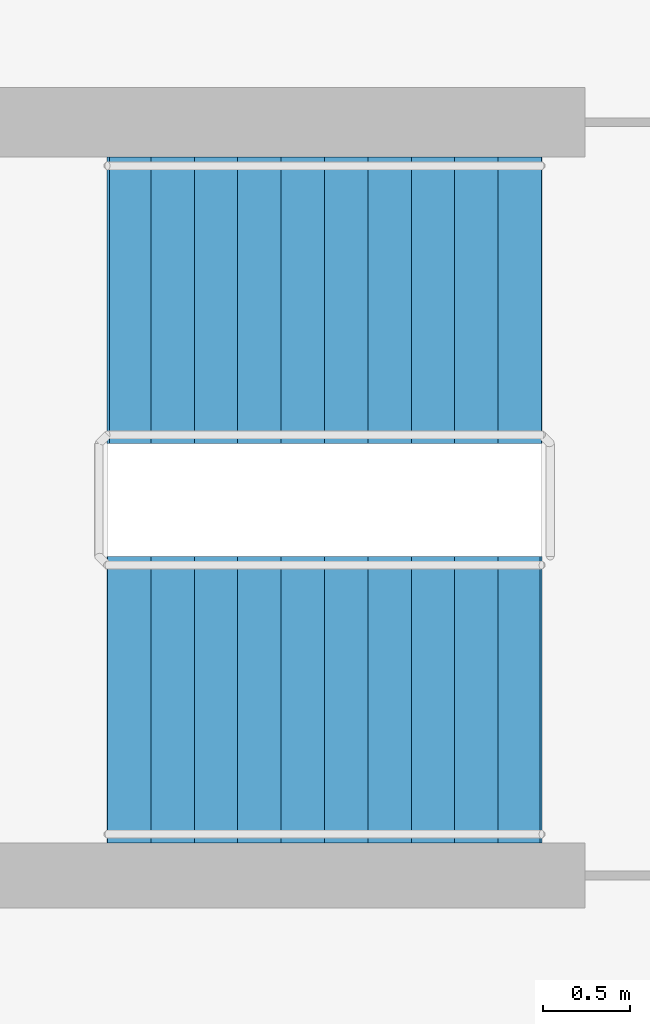
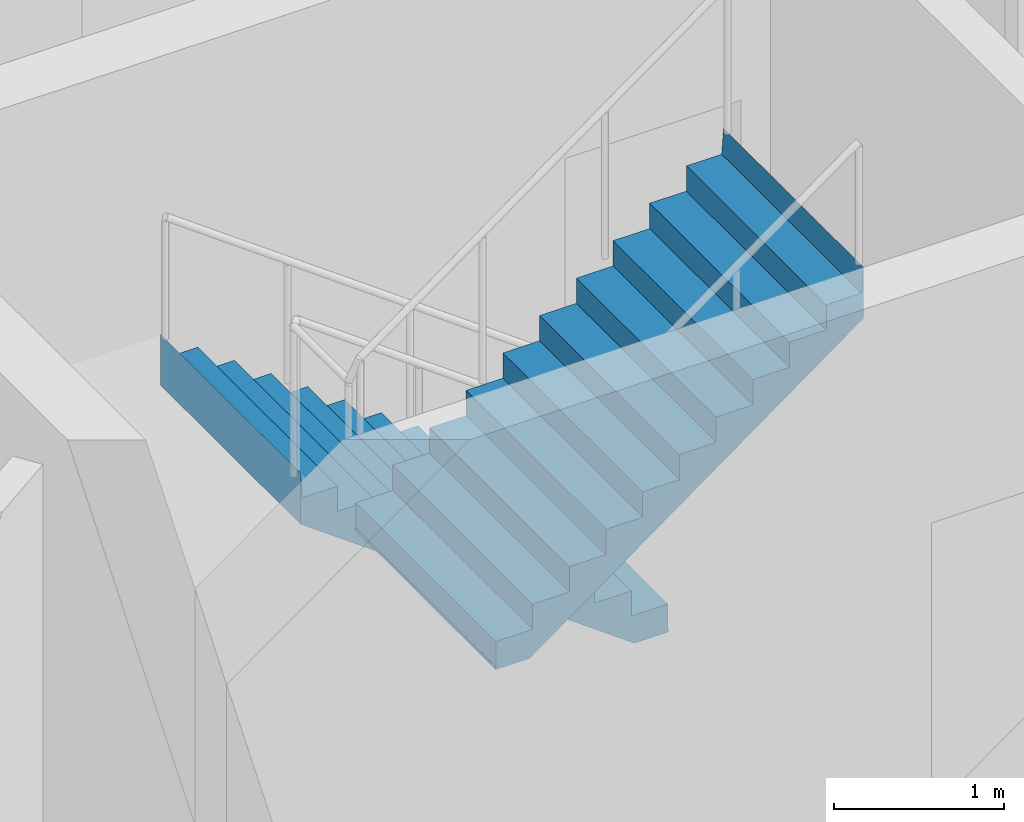
# One storey, part 11 of 12: 2 stair flights, 1 element without a shape of its own.
"""IFC4 building model written with IfcOpenShell, lengths in metres."""

from ifc_helpers import new_model, si_unit, direction, frame, origin, place, context, subcontext, project, spatial, triangles, material, type_object, element, aggregate, save


model = new_model("IFC4")

# Units and contexts
model_context = context("Model", 3, precision=1e-05, world=origin(), true_north=direction((0.0, 1.0)))
body_context = subcontext(model_context, "Body", "Model", "MODEL_VIEW")
ifc_project = project(units=[si_unit("LENGTHUNIT", "METRE"), si_unit("AREAUNIT", "SQUARE_METRE"), si_unit("VOLUMEUNIT", "CUBIC_METRE"), si_unit("PLANEANGLEUNIT", "RADIAN"), si_unit("MASSUNIT", "GRAM", prefix="KILO")], contexts=[model_context])

# Site, building, storey
site_placement = place(None, origin())
site = spatial("IfcSite", under=ifc_project, at=site_placement, CompositionType="ELEMENT")
building_placement = place(site_placement, origin())
building = spatial("IfcBuilding", under=site, at=building_placement, Name="Maasbend Ring Residences", CompositionType="ELEMENT")
storey_placement = place(building_placement, frame((0.0, 0.0, 261.5)))
storey = spatial("IfcBuildingStorey", under=building, at=storey_placement, Name="L75", CompositionType="ELEMENT", Elevation=261.5)

# Stair, stair flights
ifc_material_1 = material(Name="Concrete C40/50", Category="concrete")
stair_type = type_object("IfcStairType", Name="CORE STAIR 22 RISERS", PredefinedType="HALF_TURN_STAIR", material=ifc_material_1)
stair_placement = place(storey_placement, origin())
stair = element("IfcStair", 1, at=stair_placement, inside=storey, type_object=stair_type, Name="L75 Exit stair ST-E1", PredefinedType="HALF_TURN_STAIR")
ifc_material_2 = material(Name="Concrete C40/50", Category="concrete")
stair_flight_type = type_object("IfcStairFlightType", Name="CORE STAIR FLIGHT 1650", PredefinedType="STRAIGHT", material=ifc_material_2)
stair_flight_1_placement = place(storey_placement, frame((13.550048828125, 7.77490234375, 0.0), z_axis=(0.0, 0.0, 1.0), x_axis=(-1.0, 0.0, 0.0)))
stair_flight_1 = element("IfcStairFlight", 2, at=stair_flight_1_placement, type_object=stair_flight_type, Name="ST-E1 flight 1", NumberOfRisers=11, NumberOfTreads=10, PredefinedType="STRAIGHT", RiserHeight=0.181818182, TreadLength=0.25, context=body_context, shape_type="Tessellation", body=[
    triangles([(0.23046875, 0.824951171875, -0.02001953125), (2.5029296875, 0.824951171875, 1.6328125), (2.5029296875, 0.824951171875, 2.0), (2.489990234375, 0.824951171875, 1.818115234375), (2.25, 0.824951171875, 1.818115234375), (2.25, 0.824951171875, 1.636474609375), (2.0, 0.824951171875, 1.636474609375), (2.0, 0.824951171875, 1.45458984375), (1.75, 0.824951171875, 1.45458984375), (1.75, 0.824951171875, 1.272705078125), (1.5, 0.824951171875, 1.272705078125), (1.5, 0.824951171875, 1.0908203125), (1.25, 0.824951171875, 1.0908203125), (1.25, 0.824951171875, 0.9091796875), (1.0, 0.824951171875, 0.9091796875), (1.0, 0.824951171875, 0.727294921875), (0.75, 0.824951171875, 0.727294921875), (0.75, 0.824951171875, 0.54541015625), (0.5, 0.824951171875, 0.54541015625), (0.5, 0.824951171875, 0.363525390625), (0.25, 0.824951171875, 0.363525390625), (0.25, 0.824951171875, 0.181884765625), (0.0, 0.824951171875, 0.181884765625), (0.0, 0.824951171875, 0.0), (-0.0029296875, 0.824951171875, 0.0), (-0.0029296875, 0.824951171875, -0.02001953125), (0.23046875, 0.0, -0.02001953125), (2.5029296875, 0.0, 1.6328125), (2.5029296875, 0.0, 2.0), (2.489990234375, 0.0, 1.818115234375), (2.25, 0.0, 1.818115234375), (2.25, 0.0, 1.636474609375), (2.0, 0.0, 1.636474609375), (2.0, 0.0, 1.45458984375), (1.75, 0.0, 1.45458984375), (1.75, 0.0, 1.272705078125), (1.5, 0.0, 1.272705078125), (1.5, 0.0, 1.0908203125), (1.25, 0.0, 1.0908203125), (1.25, 0.0, 0.9091796875), (1.0, 0.0, 0.9091796875), (1.0, 0.0, 0.727294921875), (0.75, 0.0, 0.727294921875), (0.75, 0.0, 0.54541015625), (0.5, 0.0, 0.54541015625), (0.5, 0.0, 0.363525390625), (0.25, 0.0, 0.363525390625), (0.25, 0.0, 0.181884765625), (0.0, 0.0, 0.181884765625), (0.0, 0.0, 0.0), (-0.0029296875, 0.0, 0.0), (-0.0029296875, 0.0, -0.02001953125), (0.23046875, -0.824951171875, -0.02001953125), (2.5029296875, -0.824951171875, 1.6328125), (2.5029296875, -0.824951171875, 2.0), (2.489990234375, -0.824951171875, 1.818115234375), (2.25, -0.824951171875, 1.818115234375), (2.25, -0.824951171875, 1.636474609375), (2.0, -0.824951171875, 1.636474609375), (2.0, -0.824951171875, 1.45458984375), (1.75, -0.824951171875, 1.45458984375), (1.75, -0.824951171875, 1.272705078125), (1.5, -0.824951171875, 1.272705078125), (1.5, -0.824951171875, 1.0908203125), (1.25, -0.824951171875, 1.0908203125), (1.25, -0.824951171875, 0.9091796875), (1.0, -0.824951171875, 0.9091796875), (1.0, -0.824951171875, 0.727294921875), (0.75, -0.824951171875, 0.727294921875), (0.75, -0.824951171875, 0.54541015625), (0.5, -0.824951171875, 0.54541015625), (0.5, -0.824951171875, 0.363525390625), (0.25, -0.824951171875, 0.363525390625), (0.25, -0.824951171875, 0.181884765625), (0.0, -0.824951171875, 0.181884765625), (0.0, -0.824951171875, 0.0), (-0.0029296875, -0.824951171875, 0.0), (-0.0029296875, -0.824951171875, -0.02001953125)], [[1, 2, 28], [1, 28, 27], [27, 28, 54], [27, 54, 53], [2, 3, 29], [2, 29, 28], [28, 29, 55], [28, 55, 54], [3, 4, 30], [3, 30, 29], [29, 30, 56], [29, 56, 55], [4, 5, 31], [4, 31, 30], [30, 31, 57], [30, 57, 56], [5, 6, 32], [5, 32, 31], [31, 32, 58], [31, 58, 57], [6, 7, 33], [6, 33, 32], [32, 33, 59], [32, 59, 58], [7, 8, 34], [7, 34, 33], [33, 34, 60], [33, 60, 59], [8, 9, 35], [8, 35, 34], [34, 35, 61], [34, 61, 60], [9, 10, 36], [9, 36, 35], [35, 36, 62], [35, 62, 61], [10, 11, 37], [10, 37, 36], [36, 37, 63], [36, 63, 62], [11, 12, 38], [11, 38, 37], [37, 38, 64], [37, 64, 63], [12, 13, 39], [12, 39, 38], [38, 39, 65], [38, 65, 64], [13, 14, 40], [13, 40, 39], [39, 40, 66], [39, 66, 65], [14, 15, 41], [14, 41, 40], [40, 41, 67], [40, 67, 66], [15, 16, 42], [15, 42, 41], [41, 42, 68], [41, 68, 67], [16, 17, 43], [16, 43, 42], [42, 43, 69], [42, 69, 68], [17, 18, 44], [17, 44, 43], [43, 44, 70], [43, 70, 69], [18, 19, 45], [18, 45, 44], [44, 45, 71], [44, 71, 70], [19, 20, 46], [19, 46, 45], [45, 46, 72], [45, 72, 71], [20, 21, 47], [20, 47, 46], [46, 47, 73], [46, 73, 72], [21, 22, 48], [21, 48, 47], [47, 48, 74], [47, 74, 73], [22, 23, 49], [22, 49, 48], [48, 49, 75], [48, 75, 74], [23, 24, 50], [23, 50, 49], [49, 50, 76], [49, 76, 75], [24, 25, 51], [24, 51, 50], [50, 51, 77], [50, 77, 76], [25, 26, 52], [25, 52, 51], [51, 52, 78], [51, 78, 77], [26, 1, 27], [26, 27, 52], [52, 27, 53], [52, 53, 78], [26, 2, 1], [2, 4, 3], [2, 5, 4], [2, 6, 5], [26, 6, 2], [6, 8, 7], [26, 8, 6], [8, 10, 9], [26, 10, 8], [10, 12, 11], [26, 12, 10], [12, 14, 13], [26, 14, 12], [14, 16, 15], [26, 16, 14], [16, 18, 17], [26, 18, 16], [18, 20, 19], [26, 20, 18], [20, 22, 21], [26, 22, 20], [22, 24, 23], [26, 24, 22], [24, 26, 25], [78, 53, 54], [54, 55, 56], [54, 56, 57], [54, 57, 58], [78, 54, 58], [58, 59, 60], [78, 58, 60], [60, 61, 62], [78, 60, 62], [62, 63, 64], [78, 62, 64], [64, 65, 66], [78, 64, 66], [66, 67, 68], [78, 66, 68], [68, 69, 70], [78, 68, 70], [70, 71, 72], [78, 70, 72], [72, 73, 74], [78, 72, 74], [74, 75, 76], [78, 74, 76], [76, 77, 78]], closed=True),
])
stair_flight_2_placement = place(storey_placement, frame((11.050048828125, 5.47509765625, 2.0), z_axis=(0.0, 0.0, 1.0), x_axis=(1.0, 0.0, 0.0)))
stair_flight_2 = element("IfcStairFlight", 3, at=stair_flight_2_placement, type_object=stair_flight_type, Name="ST-E1 flight 2", NumberOfRisers=11, NumberOfTreads=10, PredefinedType="STRAIGHT", RiserHeight=0.181818182, TreadLength=0.25, context=body_context, shape_type="Tessellation", body=[
    triangles([(0.23046875, 0.824951171875, -0.02001953125), (2.5029296875, 0.824951171875, 1.6328125), (2.5029296875, 0.824951171875, 2.0), (2.489990234375, 0.824951171875, 1.818115234375), (2.25, 0.824951171875, 1.818115234375), (2.25, 0.824951171875, 1.636474609375), (2.0, 0.824951171875, 1.636474609375), (2.0, 0.824951171875, 1.45458984375), (1.75, 0.824951171875, 1.45458984375), (1.75, 0.824951171875, 1.272705078125), (1.5, 0.824951171875, 1.272705078125), (1.5, 0.824951171875, 1.0908203125), (1.25, 0.824951171875, 1.0908203125), (1.25, 0.824951171875, 0.9091796875), (1.0, 0.824951171875, 0.9091796875), (1.0, 0.824951171875, 0.727294921875), (0.75, 0.824951171875, 0.727294921875), (0.75, 0.824951171875, 0.54541015625), (0.5, 0.824951171875, 0.54541015625), (0.5, 0.824951171875, 0.363525390625), (0.25, 0.824951171875, 0.363525390625), (0.25, 0.824951171875, 0.181884765625), (0.0, 0.824951171875, 0.181884765625), (0.0, 0.824951171875, 0.0), (-0.0029296875, 0.824951171875, 0.0), (-0.0029296875, 0.824951171875, -0.02001953125), (0.23046875, 0.0, -0.02001953125), (2.5029296875, 0.0, 1.6328125), (2.5029296875, 0.0, 2.0), (2.489990234375, 0.0, 1.818115234375), (2.25, 0.0, 1.818115234375), (2.25, 0.0, 1.636474609375), (2.0, 0.0, 1.636474609375), (2.0, 0.0, 1.45458984375), (1.75, 0.0, 1.45458984375), (1.75, 0.0, 1.272705078125), (1.5, 0.0, 1.272705078125), (1.5, 0.0, 1.0908203125), (1.25, 0.0, 1.0908203125), (1.25, 0.0, 0.9091796875), (1.0, 0.0, 0.9091796875), (1.0, 0.0, 0.727294921875), (0.75, 0.0, 0.727294921875), (0.75, 0.0, 0.54541015625), (0.5, 0.0, 0.54541015625), (0.5, 0.0, 0.363525390625), (0.25, 0.0, 0.363525390625), (0.25, 0.0, 0.181884765625), (0.0, 0.0, 0.181884765625), (0.0, 0.0, 0.0), (-0.0029296875, 0.0, 0.0), (-0.0029296875, 0.0, -0.02001953125), (0.23046875, -0.824951171875, -0.02001953125), (2.5029296875, -0.824951171875, 1.6328125), (2.5029296875, -0.824951171875, 2.0), (2.489990234375, -0.824951171875, 1.818115234375), (2.25, -0.824951171875, 1.818115234375), (2.25, -0.824951171875, 1.636474609375), (2.0, -0.824951171875, 1.636474609375), (2.0, -0.824951171875, 1.45458984375), (1.75, -0.824951171875, 1.45458984375), (1.75, -0.824951171875, 1.272705078125), (1.5, -0.824951171875, 1.272705078125), (1.5, -0.824951171875, 1.0908203125), (1.25, -0.824951171875, 1.0908203125), (1.25, -0.824951171875, 0.9091796875), (1.0, -0.824951171875, 0.9091796875), (1.0, -0.824951171875, 0.727294921875), (0.75, -0.824951171875, 0.727294921875), (0.75, -0.824951171875, 0.54541015625), (0.5, -0.824951171875, 0.54541015625), (0.5, -0.824951171875, 0.363525390625), (0.25, -0.824951171875, 0.363525390625), (0.25, -0.824951171875, 0.181884765625), (0.0, -0.824951171875, 0.181884765625), (0.0, -0.824951171875, 0.0), (-0.0029296875, -0.824951171875, 0.0), (-0.0029296875, -0.824951171875, -0.02001953125)], [[1, 2, 28], [1, 28, 27], [27, 28, 54], [27, 54, 53], [2, 3, 29], [2, 29, 28], [28, 29, 55], [28, 55, 54], [3, 4, 30], [3, 30, 29], [29, 30, 56], [29, 56, 55], [4, 5, 31], [4, 31, 30], [30, 31, 57], [30, 57, 56], [5, 6, 32], [5, 32, 31], [31, 32, 58], [31, 58, 57], [6, 7, 33], [6, 33, 32], [32, 33, 59], [32, 59, 58], [7, 8, 34], [7, 34, 33], [33, 34, 60], [33, 60, 59], [8, 9, 35], [8, 35, 34], [34, 35, 61], [34, 61, 60], [9, 10, 36], [9, 36, 35], [35, 36, 62], [35, 62, 61], [10, 11, 37], [10, 37, 36], [36, 37, 63], [36, 63, 62], [11, 12, 38], [11, 38, 37], [37, 38, 64], [37, 64, 63], [12, 13, 39], [12, 39, 38], [38, 39, 65], [38, 65, 64], [13, 14, 40], [13, 40, 39], [39, 40, 66], [39, 66, 65], [14, 15, 41], [14, 41, 40], [40, 41, 67], [40, 67, 66], [15, 16, 42], [15, 42, 41], [41, 42, 68], [41, 68, 67], [16, 17, 43], [16, 43, 42], [42, 43, 69], [42, 69, 68], [17, 18, 44], [17, 44, 43], [43, 44, 70], [43, 70, 69], [18, 19, 45], [18, 45, 44], [44, 45, 71], [44, 71, 70], [19, 20, 46], [19, 46, 45], [45, 46, 72], [45, 72, 71], [20, 21, 47], [20, 47, 46], [46, 47, 73], [46, 73, 72], [21, 22, 48], [21, 48, 47], [47, 48, 74], [47, 74, 73], [22, 23, 49], [22, 49, 48], [48, 49, 75], [48, 75, 74], [23, 24, 50], [23, 50, 49], [49, 50, 76], [49, 76, 75], [24, 25, 51], [24, 51, 50], [50, 51, 77], [50, 77, 76], [25, 26, 52], [25, 52, 51], [51, 52, 78], [51, 78, 77], [26, 1, 27], [26, 27, 52], [52, 27, 53], [52, 53, 78], [26, 2, 1], [2, 4, 3], [2, 5, 4], [2, 6, 5], [26, 6, 2], [6, 8, 7], [26, 8, 6], [8, 10, 9], [26, 10, 8], [10, 12, 11], [26, 12, 10], [12, 14, 13], [26, 14, 12], [14, 16, 15], [26, 16, 14], [16, 18, 17], [26, 18, 16], [18, 20, 19], [26, 20, 18], [20, 22, 21], [26, 22, 20], [22, 24, 23], [26, 24, 22], [24, 26, 25], [78, 53, 54], [54, 55, 56], [54, 56, 57], [54, 57, 58], [78, 54, 58], [58, 59, 60], [78, 58, 60], [60, 61, 62], [78, 60, 62], [62, 63, 64], [78, 62, 64], [64, 65, 66], [78, 64, 66], [66, 67, 68], [78, 66, 68], [68, 69, 70], [78, 68, 70], [70, 71, 72], [78, 70, 72], [72, 73, 74], [78, 72, 74], [74, 75, 76], [78, 74, 76], [76, 77, 78]], closed=True),
])
aggregate(stair, [stair_flight_1, stair_flight_2])

save(model, "model.ifc")
